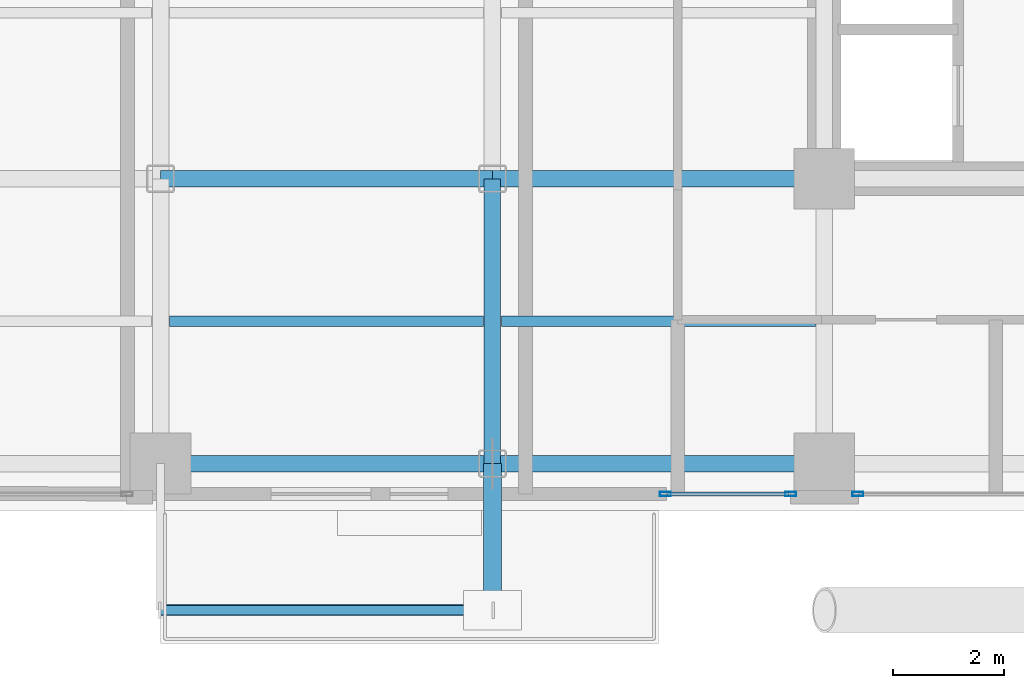
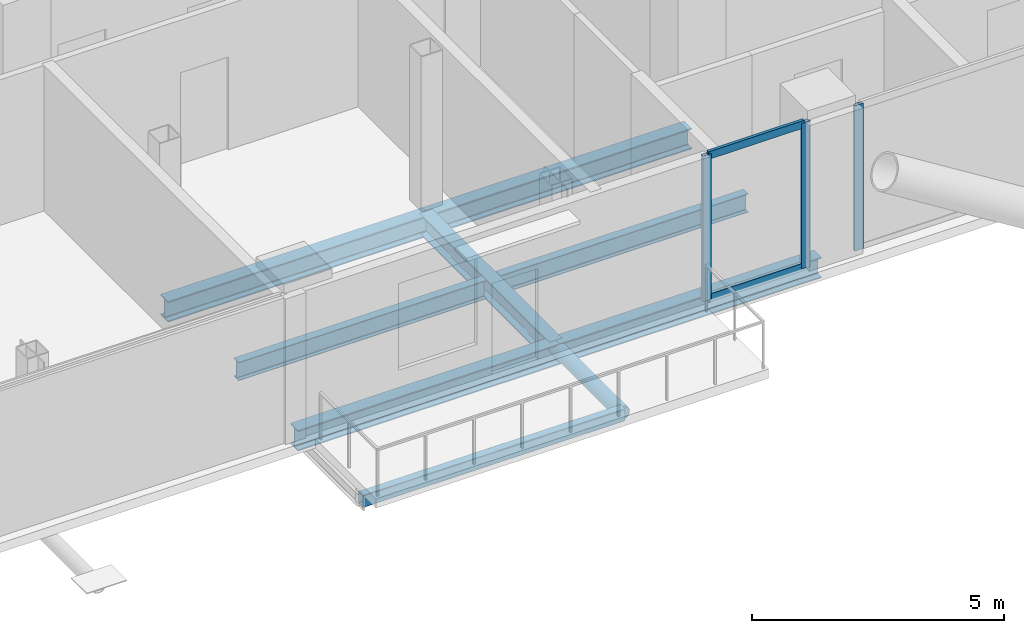
# One storey, part 3 of 24: 8 beams, 6 members, 2 elements without a shape of their own.
"""IFC4 building model written with IfcOpenShell, lengths in metres."""

from ifc_helpers import new_model, si_unit, direction, frame, origin, origin_2d, place, context, subcontext, project, spatial, hollow_rectangle, hollow_circle, i_section, extrude, material, layer, layer_set, material_profile, profile_set, type_object, element, aggregate, save


model = new_model("IFC4")

# Units and contexts
model_context = context("Model", 3, precision=1e-05, world=origin(), true_north=direction((0.0, 1.0)))
body_context = subcontext(model_context, "Body", "Model", "MODEL_VIEW")
ifc_project = project(units=[si_unit("LENGTHUNIT", "METRE"), si_unit("AREAUNIT", "SQUARE_METRE"), si_unit("VOLUMEUNIT", "CUBIC_METRE"), si_unit("PLANEANGLEUNIT", "RADIAN"), si_unit("MASSUNIT", "GRAM", prefix="KILO"), si_unit("THERMODYNAMICTEMPERATUREUNIT", "KELVIN"), si_unit("POWERUNIT", "WATT")], contexts=[model_context])

# Site, building, storey
site_placement = place(None, origin())
site = spatial("IfcSite", under=ifc_project, at=site_placement, CompositionType="ELEMENT")
building_placement = place(site_placement, origin())
building = spatial("IfcBuilding", under=site, at=building_placement, Name="Svarakhadi Broadcast Tower", CompositionType="ELEMENT")
storey_placement = place(building_placement, frame((0.0, 0.0, 126.89990234375)))
storey = spatial("IfcBuildingStorey", under=building, at=storey_placement, Name="L30", CompositionType="ELEMENT", Elevation=126.89990234375)

# Beams
ifc_material_1 = material(Name="Steel S355J2 (IS 2062 E350C)", Category="steel")
ifc_material_profile_1 = material_profile(ifc_material_1, i_section(OverallWidth=0.18994140625, OverallDepth=0.449951171875, WebThickness=0.009521484375, FlangeThickness=0.0146484375, FilletRadius=0.02099609375, at=origin_2d()), Name="NPB 450x190x78")
ifc_profile_set_1 = profile_set([ifc_material_profile_1], Name="Steel S355J2 (IS 2062 E350C)")
beam_type_1 = type_object("IfcBeamType", Name="Beam_NPB450", PredefinedType="BEAM", material=ifc_profile_set_1)
for number, where, z_axis, x_axis, name in (
    (1, (12.159912109375, 3.425048828125, -0.449951171875), (1.0, 0.0, 0.0), (0.0, 1.0, 0.0), "L30 Secondary Composite Beam SB011"),
    (2, (18.159912109375, 3.425048828125, -0.449951171875), (1.0, 0.0, 0.0), (0.0, 1.0, 0.0), "L30 Secondary Composite Beam SB016"),
):
    element("IfcBeam", number, at=place(storey_placement, frame(where, z_axis=z_axis, x_axis=x_axis)), inside=storey, type_object=beam_type_1, Name=name, PredefinedType="BEAM", context=body_context, shape_type="SweptSolid", body=[
        extrude(i_section(OverallWidth=0.18994140625, OverallDepth=0.449951171875, WebThickness=0.009521484375, FlangeThickness=0.0146484375, FilletRadius=0.02099609375, at=origin_2d()), origin(), (0.0, 0.0, 1.0), 5.68017578125),
    ])

# Curtain wall, member
ifc_material_2 = material(Name="Anodised Bronze Aluminium AA 6063-T6", Category="aluminium")
ifc_layer = layer(ifc_material_2, 0.199951171875)
ifc_layer_set = layer_set([ifc_layer], Name="Anodised Bronze Aluminium AA 6063-T6")
curtain_wall_type = type_object("IfcCurtainWallType", Name="CW_Sys_03", PredefinedType="NOTDEFINED", material=ifc_layer_set)
curtain_wall_1_placement = place(storey_placement, origin())
curtain_wall_1 = element("IfcCurtainWall", 3, at=curtain_wall_1_placement, inside=storey, type_object=curtain_wall_type, Name="L30 South Curtain Wall 16 Bay 3", PredefinedType="NOTDEFINED")
ifc_material_profile_2 = material_profile(ifc_material_2, hollow_rectangle(XDim=0.074951171875, YDim=0.199951171875, WallThickness=0.005615234375, at=origin_2d()), Name="ALU MULLION 200x75x6")
ifc_profile_set_2 = profile_set([ifc_material_profile_2], Name="Anodised Bronze Aluminium AA 6063-T6")
member_type_1 = type_object("IfcMemberType", Name="CW_Sys_03_Mul", PredefinedType="MULLION", material=ifc_profile_set_2)
member_1_placement = place(storey_placement, frame((24.607421875, 0.300048828125, 0.0), z_axis=(0.0, 0.0, 1.0), x_axis=(0.0, -1.0, 0.0)))
member_1 = element("IfcMember", 4, at=member_1_placement, type_object=member_type_1, Name="CW-03 mullion 2", PredefinedType="MULLION", context=body_context, shape_type="SweptSolid", body=[
    extrude(hollow_rectangle(XDim=0.074951171875, YDim=0.199951171875, WallThickness=0.005615234375, at=origin_2d()), origin(), (0.0, 0.0, 1.0), 3.525146484375),
])
aggregate(curtain_wall_1, [member_1])

# Curtain wall, members
curtain_wall_2_placement = place(storey_placement, origin())
curtain_wall_2 = element("IfcCurtainWall", 5, at=curtain_wall_2_placement, inside=storey, type_object=curtain_wall_type, Name="L30 South Curtain Wall 16 Bay 4", PredefinedType="NOTDEFINED")
member_2_placement = place(storey_placement, frame((23.392578125, 0.300048828125, 0.0), z_axis=(0.0, 0.0, 1.0), x_axis=(0.0, -1.0, 0.0)))
member_2 = element("IfcMember", 6, at=member_2_placement, type_object=member_type_1, Name="CW-03 mullion 1", PredefinedType="MULLION", context=body_context, shape_type="SweptSolid", body=[
    extrude(hollow_rectangle(XDim=0.074951171875, YDim=0.199951171875, WallThickness=0.005615234375, at=origin_2d()), origin(), (0.0, 0.0, 1.0), 3.525146484375),
])
member_3_placement = place(storey_placement, frame((21.12744140625, 0.300048828125, 0.0), z_axis=(0.0, 0.0, 1.0), x_axis=(0.0, -1.0, 0.0)))
member_3 = element("IfcMember", 7, at=member_3_placement, type_object=member_type_1, Name="CW-03 mullion 2", PredefinedType="MULLION", context=body_context, shape_type="SweptSolid", body=[
    extrude(hollow_rectangle(XDim=0.074951171875, YDim=0.199951171875, WallThickness=0.005615234375, at=origin_2d()), origin(), (0.0, 0.0, 1.0), 3.525146484375),
])
ifc_material_profile_3 = material_profile(ifc_material_2, hollow_rectangle(XDim=0.070068359375, YDim=0.18505859375, WallThickness=0.0048828125, at=origin_2d()), Name="ALU TRANSOM 185x70x5")
ifc_profile_set_3 = profile_set([ifc_material_profile_3], Name="Anodised Bronze Aluminium AA 6063-T6")
member_type_2 = type_object("IfcMemberType", Name="CW_Sys_03_Trn", PredefinedType="USERDEFINED", material=ifc_profile_set_3)
member_4_placement = place(storey_placement, frame((23.35498046875, 0.300048828125, 0.03515625), z_axis=(-1.0, 0.0, 0.0), x_axis=(0.0, -1.0, 0.0)))
member_4 = element("IfcMember", 8, at=member_4_placement, type_object=member_type_2, Name="CW-03 transom 1.1", ObjectType="TRANSOM", PredefinedType="USERDEFINED", context=body_context, shape_type="SweptSolid", body=[
    extrude(hollow_rectangle(XDim=0.070068359375, YDim=0.18505859375, WallThickness=0.0048828125, at=origin_2d()), origin(), (0.0, 0.0, 1.0), 2.18994140625),
])
member_5_placement = place(storey_placement, frame((23.35498046875, 0.300048828125, 3.489990234375), z_axis=(-1.0, 0.0, 0.0), x_axis=(0.0, -1.0, 0.0)))
member_5 = element("IfcMember", 9, at=member_5_placement, type_object=member_type_2, Name="CW-03 transom 1.2", ObjectType="TRANSOM", PredefinedType="USERDEFINED", context=body_context, shape_type="SweptSolid", body=[
    extrude(hollow_rectangle(XDim=0.070068359375, YDim=0.18505859375, WallThickness=0.0048828125, at=origin_2d()), origin(), (0.0, 0.0, 1.0), 2.18994140625),
])
aggregate(curtain_wall_2, [member_2, member_3, member_4, member_5])

# Member
ifc_material_3 = material(Name="Steel S460ML (IS 2062 E450BR)", Category="steel")
ifc_material_profile_4 = material_profile(ifc_material_3, hollow_circle(Radius=0.161865234375, WallThickness=0.01611328125, at=origin_2d()), Name="CHS 323.9x16")
ifc_profile_set_4 = profile_set([ifc_material_profile_4], Name="Steel S460ML (IS 2062 E450BR)")
member_type_3 = type_object("IfcMemberType", Name="Exo_Radial_Strut_Z2", PredefinedType="STRUT", material=ifc_profile_set_4)
member_6_placement = place(storey_placement, frame((18.0, -1.800048828125, -0.386962890625), z_axis=(0.0, 1.0, 0.0), x_axis=(-1.0, 0.0, 0.0)))
element("IfcMember", 10, at=member_6_placement, inside=storey, type_object=member_type_3, Name="L30 Exoskeleton Radial Tie Strut S02", PredefinedType="STRUT", context=body_context, shape_type="SweptSolid", body=[
    extrude(hollow_circle(Radius=0.161865234375, WallThickness=0.01611328125, at=origin_2d()), origin(), (0.0, 0.0, 1.0), 2.650146484375),
])

# Beams
ifc_material_profile_5 = material_profile(ifc_material_1, i_section(OverallWidth=0.300048828125, OverallDepth=0.5, WebThickness=0.014404296875, FlangeThickness=0.028076171875, FilletRadius=0.027099609375, at=origin_2d()), Name="WPB 500x300x187")
ifc_profile_set_5 = profile_set([ifc_material_profile_5], Name="Steel S355J2 (IS 2062 E350C)")
beam_type_2 = type_object("IfcBeamType", Name="Girder_WPB500", PredefinedType="USERDEFINED", material=ifc_profile_set_5)
for number, where, z_axis, x_axis, name in (
    (11, (12.0, 0.85009765625, -0.474853515625), (1.0, 0.0, 0.0), (0.0, 1.0, 0.0), "L30 Primary E-W Girder G005"),
    (12, (18.0, 0.85009765625, -0.474853515625), (1.0, 0.0, 0.0), (0.0, 1.0, 0.0), "L30 Primary E-W Girder G006"),
    (13, (12.0, 6.0, -0.474853515625), (1.0, 0.0, 0.0), (0.0, 1.0, 0.0), "L30 Primary E-W Girder G012"),
    (14, (18.0, 6.0, -0.474853515625), (1.0, 0.0, 0.0), (0.0, 1.0, 0.0), "L30 Primary E-W Girder G013"),
):
    element("IfcBeam", number, at=place(storey_placement, frame(where, z_axis=z_axis, x_axis=x_axis)), inside=storey, type_object=beam_type_2, Name=name, ObjectType="GIRDER", PredefinedType="USERDEFINED", context=body_context, shape_type="SweptSolid", body=[
        extrude(i_section(OverallWidth=0.300048828125, OverallDepth=0.5, WebThickness=0.014404296875, FlangeThickness=0.028076171875, FilletRadius=0.027099609375, at=origin_2d()), origin(), (0.0, 0.0, 1.0), 6.0),
    ])
beam_1_placement = place(storey_placement, frame((18.0, 0.85009765625, -0.474853515625), z_axis=(0.0, 1.0, 0.0), x_axis=(-1.0, 0.0, 0.0)))
element("IfcBeam", 15, at=beam_1_placement, inside=storey, type_object=beam_type_2, Name="L30 Primary N-S Girder G056", ObjectType="GIRDER", PredefinedType="USERDEFINED", context=body_context, shape_type="SweptSolid", body=[
    extrude(i_section(OverallWidth=0.300048828125, OverallDepth=0.5, WebThickness=0.014404296875, FlangeThickness=0.028076171875, FilletRadius=0.027099609375, at=origin_2d()), origin(), (0.0, 0.0, 1.0), 5.14990234375),
])
ifc_material_profile_6 = material_profile(ifc_material_3, hollow_rectangle(XDim=0.199951171875, YDim=0.300048828125, WallThickness=0.012451171875, InnerFilletRadius=0.012451171875, OuterFilletRadius=0.02490234375, at=origin_2d()), Name="RHS 300x200x12.5")
ifc_profile_set_6 = profile_set([ifc_material_profile_6], Name="Steel S460ML (IS 2062 E450BR)")
beam_type_3 = type_object("IfcBeamType", Name="Spandrel_RHS300", PredefinedType="SPANDREL", material=ifc_profile_set_6)
beam_2_placement = place(storey_placement, frame((12.0, -1.800048828125, -0.375), z_axis=(1.0, 0.0, 0.0), x_axis=(0.0, 1.0, 0.0)))
element("IfcBeam", 16, at=beam_2_placement, inside=storey, type_object=beam_type_3, Name="L30 Balcony Outer Spandrel 1F", PredefinedType="SPANDREL", context=body_context, shape_type="SweptSolid", body=[
    extrude(hollow_rectangle(XDim=0.199951171875, YDim=0.300048828125, WallThickness=0.012451171875, InnerFilletRadius=0.012451171875, OuterFilletRadius=0.02490234375, at=origin_2d()), origin(), (0.0, 0.0, 1.0), 6.0),
])

save(model, "model.ifc")
